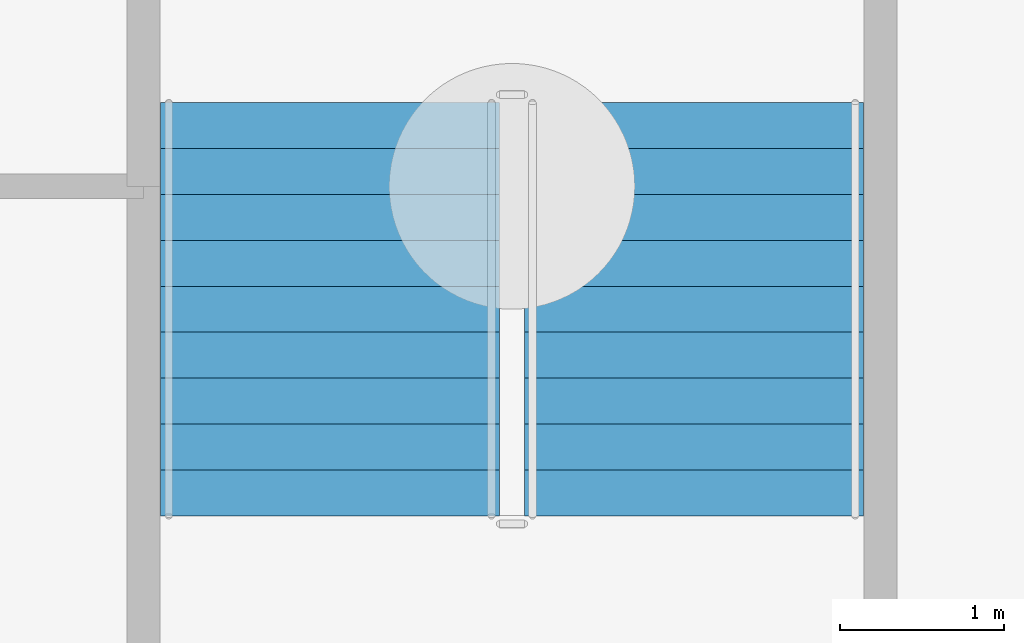
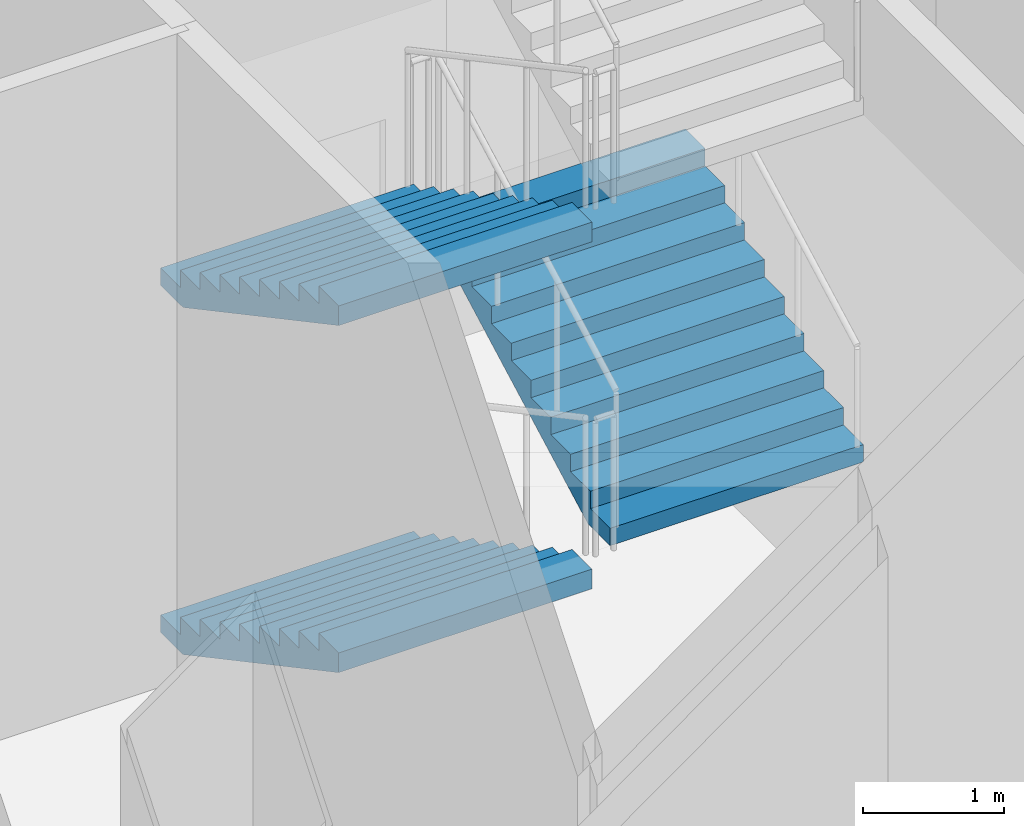
# One storey, part 16 of 25: 3 stair flights, 1 element without a shape of its own.
"""IFC4 building model written with IfcOpenShell, lengths in metres."""

import ifcopenshell
import ifcopenshell.guid

model = None  # the IFC model being written
_history = None  # IfcOwnerHistory: only IFC2X3 demands one
_inside = {}  # id of a spatial element -> (the spatial element, [elements in it])
_under = {}  # id of a project, library or spatial element -> (it, [spatial elements below it])
_declared = {}  # id of a project -> (the project, [libraries it declares])
_typed = {}  # id of a type object -> (the type object, [elements of that type])
_made_of = {}  # id of a material, layer set ... -> (it, [elements and type objects made of it])


def new_model(schema):
    """Start an empty IFC model of exactly this schema.

    Asked for "IFC4X3", IfcOpenShell would pick the latest addendum, in which some entities
    have other attributes; the version numbers below select the first issue.
    IFC2X3 requires an IfcOwnerHistory on every rooted entity: one is made here for all.
    """
    global model, _history
    if schema == "IFC4X3":
        model = ifcopenshell.file(schema_version=(4, 3, 0, 0))
    else:
        model = ifcopenshell.file(schema=schema)
    _inside.clear()
    _under.clear()
    _declared.clear()
    _typed.clear()
    _made_of.clear()
    _history = None
    if model.schema == "IFC2X3":
        org = make("IfcOrganization", Name="unknown")
        user = make(
            "IfcPersonAndOrganization",
            ThePerson=make("IfcPerson", FamilyName="unknown"),
            TheOrganization=org,
        )
        app = make(
            "IfcApplication",
            ApplicationDeveloper=org,
            Version="unknown",
            ApplicationFullName="unknown",
            ApplicationIdentifier="unknown",
        )
        _history = make(
            "IfcOwnerHistory",
            OwningUser=user,
            OwningApplication=app,
            ChangeAction="ADDED",
            CreationDate=0,
        )
    return model


def make(cls, **values):
    """One entity of the class cls with the attributes given. An attribute that is None is left unset."""
    return model.create_entity(
        cls, **{name: value for name, value in values.items() if value is not None}
    )


def rooted(cls, **values):
    """An entity with a GlobalId (a new one), such as an element, a storey or a relation."""
    return make(cls, GlobalId=ifcopenshell.guid.new(), OwnerHistory=_history, **values)


def si_unit(unit_type, name, prefix=None):
    """IfcSIUnit, for example si_unit("LENGTHUNIT", "METRE", prefix="MILLI")."""
    return make("IfcSIUnit", UnitType=unit_type, Prefix=prefix, Name=name)


def assignment(units):
    """IfcUnitAssignment: the units of a project."""
    return None if units is None else make("IfcUnitAssignment", Units=units)


def point(xyz):
    """IfcCartesianPoint."""
    return None if xyz is None else make("IfcCartesianPoint", Coordinates=xyz)


def direction(xyz):
    """IfcDirection."""
    return None if xyz is None else make("IfcDirection", DirectionRatios=xyz)


def frame(location, z_axis=None, x_axis=None):
    """IfcAxis2Placement3D, a coordinate frame: its origin and axes. An axis left out is left unset."""
    return make(
        "IfcAxis2Placement3D",
        Location=point(location),
        Axis=direction(z_axis),
        RefDirection=direction(x_axis),
    )


def origin():
    """The frame at (0, 0, 0) with its axes left unset."""
    return frame((0.0, 0.0, 0.0))


def place(relative_to, where):
    """IfcLocalPlacement: puts the frame where relative to a parent placement (None: the world)."""
    return make(
        "IfcLocalPlacement", PlacementRelTo=relative_to, RelativePlacement=where
    )


def context(
    kind, dimensions, precision=None, world=None, true_north=None, identifier=None
):
    """IfcGeometricRepresentationContext, for example the 3D "Model" context."""
    return make(
        "IfcGeometricRepresentationContext",
        ContextIdentifier=identifier,
        ContextType=kind,
        CoordinateSpaceDimension=dimensions,
        Precision=precision,
        WorldCoordinateSystem=world,
        TrueNorth=true_north,
    )


def subcontext(parent, identifier, kind, view, scale=None):
    """IfcGeometricRepresentationSubContext, for example "Body" below "Model"."""
    return make(
        "IfcGeometricRepresentationSubContext",
        ContextIdentifier=identifier,
        ContextType=kind,
        ParentContext=parent,
        TargetScale=scale,
        TargetView=view,
    )


def project(units=None, contexts=None):
    """IfcProject with its units and contexts."""
    return rooted(
        "IfcProject",
        Name="project",
        RepresentationContexts=contexts,
        UnitsInContext=assignment(units),
    )


def spatial(cls, under=None, at=None, **own):
    """A site, building, storey or space (cls), placed at a placement, below another one or the project."""
    s = rooted(cls, ObjectPlacement=at, **own)
    if under is not None:
        _under.setdefault(under.id(), (under, []))[1].append(s)
    return s


def point_list(points):
    """IfcCartesianPointList2D or 3D."""
    cls = (
        "IfcCartesianPointList2D" if len(points[0]) == 2 else "IfcCartesianPointList3D"
    )
    return make(cls, CoordList=points)


def polygons(points, faces, closed=None, point_numbers=None):
    """IfcPolygonalFaceSet: a face is its outer loop, then its inner loops; points numbered from 1."""
    made = []
    for loops in faces:
        if len(loops) == 1:
            made.append(make("IfcIndexedPolygonalFace", CoordIndex=loops[0]))
        else:
            made.append(
                make(
                    "IfcIndexedPolygonalFaceWithVoids",
                    CoordIndex=loops[0],
                    InnerCoordIndices=loops[1:],
                )
            )
    return make(
        "IfcPolygonalFaceSet",
        Coordinates=point_list(points),
        Closed=closed,
        Faces=made,
        PnIndex=point_numbers,
    )


def shape(context_of_items, identifier, shape_type, items):
    """IfcShapeRepresentation: the items that make up one representation, for example the "Body"."""
    return make(
        "IfcShapeRepresentation",
        ContextOfItems=context_of_items,
        RepresentationIdentifier=identifier,
        RepresentationType=shape_type,
        Items=items,
    )


def material(Name=None, Category=None):
    """IfcMaterial."""
    return make("IfcMaterial", Name=Name, Category=Category)


def made_of(thing, what):
    """Note that an element or type object is made of a material, layer set ...; save() writes the relation."""
    if what is not None:
        _made_of.setdefault(what.id(), (what, []))[1].append(thing)
    return thing


def type_object(cls, material=None, **own):
    """A type object (cls), such as IfcWallType, which elements share."""
    return made_of(rooted(cls, **own), material)


def element(
    cls,
    number,
    at=None,
    inside=None,
    cuts=None,
    type_object=None,
    material=None,
    context=None,
    identifier="Body",
    shape_type=None,
    held_by="IfcProductDefinitionShape",
    body=None,
    shapes=None,
    **own,
):
    """One element of the class cls, such as IfcWall. Its Tag is "e" and its number.

    at: its placement. inside: the storey or other place that contains it. cuts: it is an
    opening in that element (IfcRelVoidsElement). A single representation is given by context,
    identifier, shape_type and body (its items); several are given by shapes. held_by: the class
    of the entity that holds the representations. save() writes the other relations.
    """
    e = rooted(cls, Tag="e%d" % number, ObjectPlacement=at, **own)
    if body is not None:
        shapes = [shape(context, identifier, shape_type, body)]
    if shapes is not None:
        e.Representation = make(held_by, Representations=shapes)
    if inside is not None:
        _inside.setdefault(inside.id(), (inside, []))[1].append(e)
    if cuts is not None:
        rooted(
            "IfcRelVoidsElement", RelatingBuildingElement=cuts, RelatedOpeningElement=e
        )
    if type_object is not None:
        _typed.setdefault(type_object.id(), (type_object, []))[1].append(e)
    return made_of(e, material)


def aggregate(whole, parts):
    """IfcRelAggregates: a whole, such as a stair, and the parts it consists of."""
    return rooted("IfcRelAggregates", RelatingObject=whole, RelatedObjects=parts)


def save(model, path):
    """Write the relations noted so far, then the file.

    IfcRelAggregates (storeys below a building ...), IfcRelContainedInSpatialStructure (elements
    in a storey), IfcRelDefinesByType, IfcRelAssociatesMaterial and IfcRelDeclares: one each for
    every whole, place, type object, material and project.
    """
    for whole, parts in _under.values():
        aggregate(whole, parts)
    for where, things in _inside.values():
        rooted(
            "IfcRelContainedInSpatialStructure",
            RelatedElements=things,
            RelatingStructure=where,
        )
    for kind, things in _typed.values():
        rooted("IfcRelDefinesByType", RelatedObjects=things, RelatingType=kind)
    for what, things in _made_of.values():
        rooted("IfcRelAssociatesMaterial", RelatedObjects=things, RelatingMaterial=what)
    for by, libraries in _declared.values():
        rooted("IfcRelDeclares", RelatingContext=by, RelatedDefinitions=libraries)
    model.write(path)


model = new_model("IFC4")

# Units and contexts
model_context = context("Model", 3, precision=1e-05, world=origin(), true_north=direction((0.0, 1.0)))
body_context = subcontext(model_context, "Body", "Model", "MODEL_VIEW")
ifc_project = project(units=[si_unit("LENGTHUNIT", "METRE"), si_unit("AREAUNIT", "SQUARE_METRE"), si_unit("VOLUMEUNIT", "CUBIC_METRE"), si_unit("PLANEANGLEUNIT", "RADIAN"), si_unit("MASSUNIT", "GRAM", prefix="KILO")], contexts=[model_context])

# Site, building, storey
site_placement = place(None, origin())
site = spatial("IfcSite", under=ifc_project, at=site_placement, CompositionType="ELEMENT")
building_placement = place(site_placement, origin())
building = spatial("IfcBuilding", under=site, at=building_placement, Name="Caravel Reach Hotel and Residences", CompositionType="ELEMENT")
storey_placement = place(building_placement, frame((0.0, 0.0, -6.0)))
storey = spatial("IfcBuildingStorey", under=building, at=storey_placement, Name="B1", CompositionType="ELEMENT", Elevation=-6.0)

# Stair, stair flights
ifc_material_1 = material(Name="Concrete C40", Category="concrete")
stair_type = type_object("IfcStairType", Name="Core stair", PredefinedType="HALF_TURN_STAIR", material=ifc_material_1)
stair_placement = place(storey_placement, origin())
stair = element("IfcStair", 1, at=stair_placement, inside=storey, type_object=stair_type, Name="B1 Exit stair P2", PredefinedType="HALF_TURN_STAIR")
ifc_material_2 = material(Name="Concrete C40", Category="concrete")
stair_flight_type = type_object("IfcStairFlightType", Name="Core stair flight", PredefinedType="STRAIGHT", material=ifc_material_2)
stair_flight_1_placement = place(storey_placement, frame((52.889892578125, 41.010009765625, 0.0), z_axis=(0.0, 0.0, 1.0), x_axis=(0.0, -1.0, 0.0)))
stair_flight_1 = element("IfcStairFlight", 2, at=stair_flight_1_placement, type_object=stair_flight_type, Name="ST-P2 flight 1", NumberOfRisers=10, NumberOfTreads=9, PredefinedType="STRAIGHT", RiserHeight=0.15, TreadLength=0.28, context=body_context, shape_type="Tessellation", body=[
    polygons([(0.3174408016601862, 1.0350341796875, 0.0), (0.3174408016601862, 0.6900227864583333, 0.0), (0.3174408016601862, 0.34501139322916663, 0.0), (0.3174408016601862, 0.0, 0.0), (0.3174408016601862, -0.34501139322916674, 0.0), (0.3174408016601862, -0.6900227864583333, 0.0), (0.3174408016601862, -1.0350341796875, 0.0), (2.5210000000000004, 1.0350341796875, 1.1799424276820432), (2.5210000000000004, 0.6900227864583333, 1.1799424276820432), (2.5210000000000004, 0.34501139322916663, 1.1799424276820432), (2.5210000000000004, 0.0, 1.1799424276820432), (2.5210000000000004, -0.34501139322916674, 1.1799424276820432), (2.5210000000000004, -0.6900227864583333, 1.1799424276820432), (2.5210000000000004, -1.0350341796875, 1.1799424276820432), (2.5210000000000004, 1.0350341796875, 1.3499999999999999), (2.5210000000000004, 0.6900227864583333, 1.3499999999999999), (2.5210000000000004, 0.34501139322916663, 1.3499999999999999), (2.5210000000000004, 0.0, 1.3499999999999999), (2.5210000000000004, -0.34501139322916674, 1.3499999999999999), (2.5210000000000004, -0.6900227864583333, 1.3499999999999999), (2.5210000000000004, -1.0350341796875, 1.3499999999999999), (2.24, 1.0350341796875, 1.3499999999999999), (2.24, 0.6900227864583333, 1.3499999999999999), (2.24, 0.34501139322916663, 1.3499999999999999), (2.24, 0.0, 1.3499999999999999), (2.24, -0.34501139322916674, 1.3499999999999999), (2.24, -0.6900227864583333, 1.3499999999999999), (2.24, -1.0350341796875, 1.3499999999999999), (2.24, 1.0350341796875, 1.2), (2.24, 0.6900227864583333, 1.2), (2.24, 0.34501139322916663, 1.2), (2.24, 0.0, 1.2), (2.24, -0.34501139322916674, 1.2), (2.24, -0.6900227864583333, 1.2), (2.24, -1.0350341796875, 1.2), (1.9600000000000002, 1.0350341796875, 1.2), (1.9600000000000002, 0.6900227864583333, 1.2), (1.9600000000000002, 0.34501139322916663, 1.2), (1.9600000000000002, 0.0, 1.2), (1.9600000000000002, -0.34501139322916674, 1.2), (1.9600000000000002, -0.6900227864583333, 1.2), (1.9600000000000002, -1.0350341796875, 1.2), (1.9600000000000002, 1.0350341796875, 1.05), (1.9600000000000002, 0.6900227864583333, 1.05), (1.9600000000000002, 0.34501139322916663, 1.05), (1.9600000000000002, 0.0, 1.05), (1.9600000000000002, -0.34501139322916674, 1.05), (1.9600000000000002, -0.6900227864583333, 1.05), (1.9600000000000002, -1.0350341796875, 1.05), (1.6800000000000002, 1.0350341796875, 1.05), (1.6800000000000002, 0.6900227864583333, 1.05), (1.6800000000000002, 0.34501139322916663, 1.05), (1.6800000000000002, 0.0, 1.05), (1.6800000000000002, -0.34501139322916674, 1.05), (1.6800000000000002, -0.6900227864583333, 1.05), (1.6800000000000002, -1.0350341796875, 1.05), (1.6800000000000002, 1.0350341796875, 0.8999999999999999), (1.6800000000000002, 0.6900227864583333, 0.8999999999999999), (1.6800000000000002, 0.34501139322916663, 0.8999999999999999), (1.6800000000000002, 0.0, 0.8999999999999999), (1.6800000000000002, -0.34501139322916674, 0.8999999999999999), (1.6800000000000002, -0.6900227864583333, 0.8999999999999999), (1.6800000000000002, -1.0350341796875, 0.8999999999999999), (1.4000000000000001, 1.0350341796875, 0.8999999999999999), (1.4000000000000001, 0.6900227864583333, 0.8999999999999999), (1.4000000000000001, 0.34501139322916663, 0.8999999999999999), (1.4000000000000001, 0.0, 0.8999999999999999), (1.4000000000000001, -0.34501139322916674, 0.8999999999999999), (1.4000000000000001, -0.6900227864583333, 0.8999999999999999), (1.4000000000000001, -1.0350341796875, 0.8999999999999999), (1.4000000000000001, 1.0350341796875, 0.75), (1.4000000000000001, 0.6900227864583333, 0.75), (1.4000000000000001, 0.34501139322916663, 0.75), (1.4000000000000001, 0.0, 0.75), (1.4000000000000001, -0.34501139322916674, 0.75), (1.4000000000000001, -0.6900227864583333, 0.75), (1.4000000000000001, -1.0350341796875, 0.75), (1.12, 1.0350341796875, 0.75), (1.12, 0.6900227864583333, 0.75), (1.12, 0.34501139322916663, 0.75), (1.12, 0.0, 0.75), (1.12, -0.34501139322916674, 0.75), (1.12, -0.6900227864583333, 0.75), (1.12, -1.0350341796875, 0.75), (1.12, 1.0350341796875, 0.6), (1.12, 0.6900227864583333, 0.6), (1.12, 0.34501139322916663, 0.6), (1.12, 0.0, 0.6), (1.12, -0.34501139322916674, 0.6), (1.12, -0.6900227864583333, 0.6), (1.12, -1.0350341796875, 0.6), (0.8400000000000001, 1.0350341796875, 0.6), (0.8400000000000001, 0.6900227864583333, 0.6), (0.8400000000000001, 0.34501139322916663, 0.6), (0.8400000000000001, 0.0, 0.6), (0.8400000000000001, -0.34501139322916674, 0.6), (0.8400000000000001, -0.6900227864583333, 0.6), (0.8400000000000001, -1.0350341796875, 0.6), (0.8400000000000001, 1.0350341796875, 0.44999999999999996), (0.8400000000000001, 0.6900227864583333, 0.44999999999999996), (0.8400000000000001, 0.34501139322916663, 0.44999999999999996), (0.8400000000000001, 0.0, 0.44999999999999996), (0.8400000000000001, -0.34501139322916674, 0.44999999999999996), (0.8400000000000001, -0.6900227864583333, 0.44999999999999996), (0.8400000000000001, -1.0350341796875, 0.44999999999999996), (0.56, 1.0350341796875, 0.44999999999999996), (0.56, 0.6900227864583333, 0.44999999999999996), (0.56, 0.34501139322916663, 0.44999999999999996), (0.56, 0.0, 0.44999999999999996), (0.56, -0.34501139322916674, 0.44999999999999996), (0.56, -0.6900227864583333, 0.44999999999999996), (0.56, -1.0350341796875, 0.44999999999999996), (0.56, 1.0350341796875, 0.3), (0.56, 0.6900227864583333, 0.3), (0.56, 0.34501139322916663, 0.3), (0.56, 0.0, 0.3), (0.56, -0.34501139322916674, 0.3), (0.56, -0.6900227864583333, 0.3), (0.56, -1.0350341796875, 0.3), (0.28, 1.0350341796875, 0.3), (0.28, 0.6900227864583333, 0.3), (0.28, 0.34501139322916663, 0.3), (0.28, 0.0, 0.3), (0.28, -0.34501139322916674, 0.3), (0.28, -0.6900227864583333, 0.3), (0.28, -1.0350341796875, 0.3), (0.28, 1.0350341796875, 0.15), (0.28, 0.6900227864583333, 0.15), (0.28, 0.34501139322916663, 0.15), (0.28, 0.0, 0.15), (0.28, -0.34501139322916674, 0.15), (0.28, -0.6900227864583333, 0.15), (0.28, -1.0350341796875, 0.15), (-0.001, 1.0350341796875, 0.15), (-0.001, 0.6900227864583333, 0.15), (-0.001, 0.34501139322916663, 0.15), (-0.001, 0.0, 0.15), (-0.001, -0.34501139322916674, 0.15), (-0.001, -0.6900227864583333, 0.15), (-0.001, -1.0350341796875, 0.15), (-0.001, 1.0350341796875, 0.0), (-0.001, 0.6900227864583333, 0.0), (-0.001, 0.34501139322916663, 0.0), (-0.001, 0.0, 0.0), (-0.001, -0.34501139322916674, 0.0), (-0.001, -0.6900227864583333, 0.0), (-0.001, -1.0350341796875, 0.0)], [[[141, 134, 127, 120, 113, 106, 99, 92, 85, 78, 71, 64, 57, 50, 43, 36, 29, 22, 15, 8, 1]], [[7, 14, 21, 28, 35, 42, 49, 56, 63, 70, 77, 84, 91, 98, 105, 112, 119, 126, 133, 140, 147]], [[1, 8, 9, 2]], [[2, 9, 10, 3]], [[3, 10, 11, 4]], [[4, 11, 12, 5]], [[5, 12, 13, 6]], [[6, 13, 14, 7]], [[8, 15, 16, 9]], [[9, 16, 17, 10]], [[10, 17, 18, 11]], [[11, 18, 19, 12]], [[12, 19, 20, 13]], [[13, 20, 21, 14]], [[15, 22, 23, 16]], [[16, 23, 24, 17]], [[17, 24, 25, 18]], [[18, 25, 26, 19]], [[19, 26, 27, 20]], [[20, 27, 28, 21]], [[22, 29, 30, 23]], [[23, 30, 31, 24]], [[24, 31, 32, 25]], [[25, 32, 33, 26]], [[26, 33, 34, 27]], [[27, 34, 35, 28]], [[29, 36, 37, 30]], [[30, 37, 38, 31]], [[31, 38, 39, 32]], [[32, 39, 40, 33]], [[33, 40, 41, 34]], [[34, 41, 42, 35]], [[36, 43, 44, 37]], [[37, 44, 45, 38]], [[38, 45, 46, 39]], [[39, 46, 47, 40]], [[40, 47, 48, 41]], [[41, 48, 49, 42]], [[43, 50, 51, 44]], [[44, 51, 52, 45]], [[45, 52, 53, 46]], [[46, 53, 54, 47]], [[47, 54, 55, 48]], [[48, 55, 56, 49]], [[50, 57, 58, 51]], [[51, 58, 59, 52]], [[52, 59, 60, 53]], [[53, 60, 61, 54]], [[54, 61, 62, 55]], [[55, 62, 63, 56]], [[57, 64, 65, 58]], [[58, 65, 66, 59]], [[59, 66, 67, 60]], [[60, 67, 68, 61]], [[61, 68, 69, 62]], [[62, 69, 70, 63]], [[64, 71, 72, 65]], [[65, 72, 73, 66]], [[66, 73, 74, 67]], [[67, 74, 75, 68]], [[68, 75, 76, 69]], [[69, 76, 77, 70]], [[71, 78, 79, 72]], [[72, 79, 80, 73]], [[73, 80, 81, 74]], [[74, 81, 82, 75]], [[75, 82, 83, 76]], [[76, 83, 84, 77]], [[78, 85, 86, 79]], [[79, 86, 87, 80]], [[80, 87, 88, 81]], [[81, 88, 89, 82]], [[82, 89, 90, 83]], [[83, 90, 91, 84]], [[85, 92, 93, 86]], [[86, 93, 94, 87]], [[87, 94, 95, 88]], [[88, 95, 96, 89]], [[89, 96, 97, 90]], [[90, 97, 98, 91]], [[92, 99, 100, 93]], [[93, 100, 101, 94]], [[94, 101, 102, 95]], [[95, 102, 103, 96]], [[96, 103, 104, 97]], [[97, 104, 105, 98]], [[99, 106, 107, 100]], [[100, 107, 108, 101]], [[101, 108, 109, 102]], [[102, 109, 110, 103]], [[103, 110, 111, 104]], [[104, 111, 112, 105]], [[106, 113, 114, 107]], [[107, 114, 115, 108]], [[108, 115, 116, 109]], [[109, 116, 117, 110]], [[110, 117, 118, 111]], [[111, 118, 119, 112]], [[113, 120, 121, 114]], [[114, 121, 122, 115]], [[115, 122, 123, 116]], [[116, 123, 124, 117]], [[117, 124, 125, 118]], [[118, 125, 126, 119]], [[120, 127, 128, 121]], [[121, 128, 129, 122]], [[122, 129, 130, 123]], [[123, 130, 131, 124]], [[124, 131, 132, 125]], [[125, 132, 133, 126]], [[127, 134, 135, 128]], [[128, 135, 136, 129]], [[129, 136, 137, 130]], [[130, 137, 138, 131]], [[131, 138, 139, 132]], [[132, 139, 140, 133]], [[134, 141, 142, 135]], [[135, 142, 143, 136]], [[136, 143, 144, 137]], [[137, 144, 145, 138]], [[138, 145, 146, 139]], [[139, 146, 147, 140]], [[141, 1, 2, 142]], [[142, 2, 3, 143]], [[143, 3, 4, 144]], [[144, 4, 5, 145]], [[145, 5, 6, 146]], [[146, 6, 7, 147]]], closed=True),
])
stair_flight_2_placement = place(storey_placement, frame((55.110107421875, 38.489990234375, 1.5), z_axis=(0.0, 0.0, 1.0), x_axis=(0.0, 1.0, 0.0)))
stair_flight_2 = element("IfcStairFlight", 3, at=stair_flight_2_placement, type_object=stair_flight_type, Name="ST-P2 flight 2", NumberOfRisers=10, NumberOfTreads=9, PredefinedType="STRAIGHT", RiserHeight=0.15, TreadLength=0.28, context=body_context, shape_type="Tessellation", body=[
    polygons([(0.3174408016601862, 1.0350341796875, 0.0), (0.3174408016601862, 0.6900227864583333, 0.0), (0.3174408016601862, 0.34501139322916663, 0.0), (0.3174408016601862, 0.0, 0.0), (0.3174408016601862, -0.34501139322916674, 0.0), (0.3174408016601862, -0.6900227864583333, 0.0), (0.3174408016601862, -1.0350341796875, 0.0), (2.5210000000000004, 1.0350341796875, 1.1799424276820432), (2.5210000000000004, 0.6900227864583333, 1.1799424276820432), (2.5210000000000004, 0.34501139322916663, 1.1799424276820432), (2.5210000000000004, 0.0, 1.1799424276820432), (2.5210000000000004, -0.34501139322916674, 1.1799424276820432), (2.5210000000000004, -0.6900227864583333, 1.1799424276820432), (2.5210000000000004, -1.0350341796875, 1.1799424276820432), (2.5210000000000004, 1.0350341796875, 1.3499999999999999), (2.5210000000000004, 0.6900227864583333, 1.3499999999999999), (2.5210000000000004, 0.34501139322916663, 1.3499999999999999), (2.5210000000000004, 0.0, 1.3499999999999999), (2.5210000000000004, -0.34501139322916674, 1.3499999999999999), (2.5210000000000004, -0.6900227864583333, 1.3499999999999999), (2.5210000000000004, -1.0350341796875, 1.3499999999999999), (2.24, 1.0350341796875, 1.3499999999999999), (2.24, 0.6900227864583333, 1.3499999999999999), (2.24, 0.34501139322916663, 1.3499999999999999), (2.24, 0.0, 1.3499999999999999), (2.24, -0.34501139322916674, 1.3499999999999999), (2.24, -0.6900227864583333, 1.3499999999999999), (2.24, -1.0350341796875, 1.3499999999999999), (2.24, 1.0350341796875, 1.2), (2.24, 0.6900227864583333, 1.2), (2.24, 0.34501139322916663, 1.2), (2.24, 0.0, 1.2), (2.24, -0.34501139322916674, 1.2), (2.24, -0.6900227864583333, 1.2), (2.24, -1.0350341796875, 1.2), (1.9600000000000002, 1.0350341796875, 1.2), (1.9600000000000002, 0.6900227864583333, 1.2), (1.9600000000000002, 0.34501139322916663, 1.2), (1.9600000000000002, 0.0, 1.2), (1.9600000000000002, -0.34501139322916674, 1.2), (1.9600000000000002, -0.6900227864583333, 1.2), (1.9600000000000002, -1.0350341796875, 1.2), (1.9600000000000002, 1.0350341796875, 1.05), (1.9600000000000002, 0.6900227864583333, 1.05), (1.9600000000000002, 0.34501139322916663, 1.05), (1.9600000000000002, 0.0, 1.05), (1.9600000000000002, -0.34501139322916674, 1.05), (1.9600000000000002, -0.6900227864583333, 1.05), (1.9600000000000002, -1.0350341796875, 1.05), (1.6800000000000002, 1.0350341796875, 1.05), (1.6800000000000002, 0.6900227864583333, 1.05), (1.6800000000000002, 0.34501139322916663, 1.05), (1.6800000000000002, 0.0, 1.05), (1.6800000000000002, -0.34501139322916674, 1.05), (1.6800000000000002, -0.6900227864583333, 1.05), (1.6800000000000002, -1.0350341796875, 1.05), (1.6800000000000002, 1.0350341796875, 0.8999999999999999), (1.6800000000000002, 0.6900227864583333, 0.8999999999999999), (1.6800000000000002, 0.34501139322916663, 0.8999999999999999), (1.6800000000000002, 0.0, 0.8999999999999999), (1.6800000000000002, -0.34501139322916674, 0.8999999999999999), (1.6800000000000002, -0.6900227864583333, 0.8999999999999999), (1.6800000000000002, -1.0350341796875, 0.8999999999999999), (1.4000000000000001, 1.0350341796875, 0.8999999999999999), (1.4000000000000001, 0.6900227864583333, 0.8999999999999999), (1.4000000000000001, 0.34501139322916663, 0.8999999999999999), (1.4000000000000001, 0.0, 0.8999999999999999), (1.4000000000000001, -0.34501139322916674, 0.8999999999999999), (1.4000000000000001, -0.6900227864583333, 0.8999999999999999), (1.4000000000000001, -1.0350341796875, 0.8999999999999999), (1.4000000000000001, 1.0350341796875, 0.75), (1.4000000000000001, 0.6900227864583333, 0.75), (1.4000000000000001, 0.34501139322916663, 0.75), (1.4000000000000001, 0.0, 0.75), (1.4000000000000001, -0.34501139322916674, 0.75), (1.4000000000000001, -0.6900227864583333, 0.75), (1.4000000000000001, -1.0350341796875, 0.75), (1.12, 1.0350341796875, 0.75), (1.12, 0.6900227864583333, 0.75), (1.12, 0.34501139322916663, 0.75), (1.12, 0.0, 0.75), (1.12, -0.34501139322916674, 0.75), (1.12, -0.6900227864583333, 0.75), (1.12, -1.0350341796875, 0.75), (1.12, 1.0350341796875, 0.6), (1.12, 0.6900227864583333, 0.6), (1.12, 0.34501139322916663, 0.6), (1.12, 0.0, 0.6), (1.12, -0.34501139322916674, 0.6), (1.12, -0.6900227864583333, 0.6), (1.12, -1.0350341796875, 0.6), (0.8400000000000001, 1.0350341796875, 0.6), (0.8400000000000001, 0.6900227864583333, 0.6), (0.8400000000000001, 0.34501139322916663, 0.6), (0.8400000000000001, 0.0, 0.6), (0.8400000000000001, -0.34501139322916674, 0.6), (0.8400000000000001, -0.6900227864583333, 0.6), (0.8400000000000001, -1.0350341796875, 0.6), (0.8400000000000001, 1.0350341796875, 0.44999999999999996), (0.8400000000000001, 0.6900227864583333, 0.44999999999999996), (0.8400000000000001, 0.34501139322916663, 0.44999999999999996), (0.8400000000000001, 0.0, 0.44999999999999996), (0.8400000000000001, -0.34501139322916674, 0.44999999999999996), (0.8400000000000001, -0.6900227864583333, 0.44999999999999996), (0.8400000000000001, -1.0350341796875, 0.44999999999999996), (0.56, 1.0350341796875, 0.44999999999999996), (0.56, 0.6900227864583333, 0.44999999999999996), (0.56, 0.34501139322916663, 0.44999999999999996), (0.56, 0.0, 0.44999999999999996), (0.56, -0.34501139322916674, 0.44999999999999996), (0.56, -0.6900227864583333, 0.44999999999999996), (0.56, -1.0350341796875, 0.44999999999999996), (0.56, 1.0350341796875, 0.3), (0.56, 0.6900227864583333, 0.3), (0.56, 0.34501139322916663, 0.3), (0.56, 0.0, 0.3), (0.56, -0.34501139322916674, 0.3), (0.56, -0.6900227864583333, 0.3), (0.56, -1.0350341796875, 0.3), (0.28, 1.0350341796875, 0.3), (0.28, 0.6900227864583333, 0.3), (0.28, 0.34501139322916663, 0.3), (0.28, 0.0, 0.3), (0.28, -0.34501139322916674, 0.3), (0.28, -0.6900227864583333, 0.3), (0.28, -1.0350341796875, 0.3), (0.28, 1.0350341796875, 0.15), (0.28, 0.6900227864583333, 0.15), (0.28, 0.34501139322916663, 0.15), (0.28, 0.0, 0.15), (0.28, -0.34501139322916674, 0.15), (0.28, -0.6900227864583333, 0.15), (0.28, -1.0350341796875, 0.15), (-0.001, 1.0350341796875, 0.15), (-0.001, 0.6900227864583333, 0.15), (-0.001, 0.34501139322916663, 0.15), (-0.001, 0.0, 0.15), (-0.001, -0.34501139322916674, 0.15), (-0.001, -0.6900227864583333, 0.15), (-0.001, -1.0350341796875, 0.15), (-0.001, 1.0350341796875, 0.0), (-0.001, 0.6900227864583333, 0.0), (-0.001, 0.34501139322916663, 0.0), (-0.001, 0.0, 0.0), (-0.001, -0.34501139322916674, 0.0), (-0.001, -0.6900227864583333, 0.0), (-0.001, -1.0350341796875, 0.0)], [[[141, 134, 127, 120, 113, 106, 99, 92, 85, 78, 71, 64, 57, 50, 43, 36, 29, 22, 15, 8, 1]], [[7, 14, 21, 28, 35, 42, 49, 56, 63, 70, 77, 84, 91, 98, 105, 112, 119, 126, 133, 140, 147]], [[1, 8, 9, 2]], [[2, 9, 10, 3]], [[3, 10, 11, 4]], [[4, 11, 12, 5]], [[5, 12, 13, 6]], [[6, 13, 14, 7]], [[8, 15, 16, 9]], [[9, 16, 17, 10]], [[10, 17, 18, 11]], [[11, 18, 19, 12]], [[12, 19, 20, 13]], [[13, 20, 21, 14]], [[15, 22, 23, 16]], [[16, 23, 24, 17]], [[17, 24, 25, 18]], [[18, 25, 26, 19]], [[19, 26, 27, 20]], [[20, 27, 28, 21]], [[22, 29, 30, 23]], [[23, 30, 31, 24]], [[24, 31, 32, 25]], [[25, 32, 33, 26]], [[26, 33, 34, 27]], [[27, 34, 35, 28]], [[29, 36, 37, 30]], [[30, 37, 38, 31]], [[31, 38, 39, 32]], [[32, 39, 40, 33]], [[33, 40, 41, 34]], [[34, 41, 42, 35]], [[36, 43, 44, 37]], [[37, 44, 45, 38]], [[38, 45, 46, 39]], [[39, 46, 47, 40]], [[40, 47, 48, 41]], [[41, 48, 49, 42]], [[43, 50, 51, 44]], [[44, 51, 52, 45]], [[45, 52, 53, 46]], [[46, 53, 54, 47]], [[47, 54, 55, 48]], [[48, 55, 56, 49]], [[50, 57, 58, 51]], [[51, 58, 59, 52]], [[52, 59, 60, 53]], [[53, 60, 61, 54]], [[54, 61, 62, 55]], [[55, 62, 63, 56]], [[57, 64, 65, 58]], [[58, 65, 66, 59]], [[59, 66, 67, 60]], [[60, 67, 68, 61]], [[61, 68, 69, 62]], [[62, 69, 70, 63]], [[64, 71, 72, 65]], [[65, 72, 73, 66]], [[66, 73, 74, 67]], [[67, 74, 75, 68]], [[68, 75, 76, 69]], [[69, 76, 77, 70]], [[71, 78, 79, 72]], [[72, 79, 80, 73]], [[73, 80, 81, 74]], [[74, 81, 82, 75]], [[75, 82, 83, 76]], [[76, 83, 84, 77]], [[78, 85, 86, 79]], [[79, 86, 87, 80]], [[80, 87, 88, 81]], [[81, 88, 89, 82]], [[82, 89, 90, 83]], [[83, 90, 91, 84]], [[85, 92, 93, 86]], [[86, 93, 94, 87]], [[87, 94, 95, 88]], [[88, 95, 96, 89]], [[89, 96, 97, 90]], [[90, 97, 98, 91]], [[92, 99, 100, 93]], [[93, 100, 101, 94]], [[94, 101, 102, 95]], [[95, 102, 103, 96]], [[96, 103, 104, 97]], [[97, 104, 105, 98]], [[99, 106, 107, 100]], [[100, 107, 108, 101]], [[101, 108, 109, 102]], [[102, 109, 110, 103]], [[103, 110, 111, 104]], [[104, 111, 112, 105]], [[106, 113, 114, 107]], [[107, 114, 115, 108]], [[108, 115, 116, 109]], [[109, 116, 117, 110]], [[110, 117, 118, 111]], [[111, 118, 119, 112]], [[113, 120, 121, 114]], [[114, 121, 122, 115]], [[115, 122, 123, 116]], [[116, 123, 124, 117]], [[117, 124, 125, 118]], [[118, 125, 126, 119]], [[120, 127, 128, 121]], [[121, 128, 129, 122]], [[122, 129, 130, 123]], [[123, 130, 131, 124]], [[124, 131, 132, 125]], [[125, 132, 133, 126]], [[127, 134, 135, 128]], [[128, 135, 136, 129]], [[129, 136, 137, 130]], [[130, 137, 138, 131]], [[131, 138, 139, 132]], [[132, 139, 140, 133]], [[134, 141, 142, 135]], [[135, 142, 143, 136]], [[136, 143, 144, 137]], [[137, 144, 145, 138]], [[138, 145, 146, 139]], [[139, 146, 147, 140]], [[141, 1, 2, 142]], [[142, 2, 3, 143]], [[143, 3, 4, 144]], [[144, 4, 5, 145]], [[145, 5, 6, 146]], [[146, 6, 7, 147]]], closed=True),
])
stair_flight_3_placement = place(storey_placement, frame((52.889892578125, 41.010009765625, 3.0), z_axis=(0.0, 0.0, 1.0), x_axis=(0.0, -1.0, 0.0)))
stair_flight_3 = element("IfcStairFlight", 4, at=stair_flight_3_placement, type_object=stair_flight_type, Name="ST-P2 flight 3", NumberOfRisers=10, NumberOfTreads=9, PredefinedType="STRAIGHT", RiserHeight=0.15, TreadLength=0.28, context=body_context, shape_type="Tessellation", body=[
    polygons([(0.3174408016601862, 1.0350341796875, 0.0), (0.3174408016601862, 0.6900227864583333, 0.0), (0.3174408016601862, 0.34501139322916663, 0.0), (0.3174408016601862, 0.0, 0.0), (0.3174408016601862, -0.34501139322916674, 0.0), (0.3174408016601862, -0.6900227864583333, 0.0), (0.3174408016601862, -1.0350341796875, 0.0), (2.5210000000000004, 1.0350341796875, 1.1799424276820432), (2.5210000000000004, 0.6900227864583333, 1.1799424276820432), (2.5210000000000004, 0.34501139322916663, 1.1799424276820432), (2.5210000000000004, 0.0, 1.1799424276820432), (2.5210000000000004, -0.34501139322916674, 1.1799424276820432), (2.5210000000000004, -0.6900227864583333, 1.1799424276820432), (2.5210000000000004, -1.0350341796875, 1.1799424276820432), (2.5210000000000004, 1.0350341796875, 1.3499999999999999), (2.5210000000000004, 0.6900227864583333, 1.3499999999999999), (2.5210000000000004, 0.34501139322916663, 1.3499999999999999), (2.5210000000000004, 0.0, 1.3499999999999999), (2.5210000000000004, -0.34501139322916674, 1.3499999999999999), (2.5210000000000004, -0.6900227864583333, 1.3499999999999999), (2.5210000000000004, -1.0350341796875, 1.3499999999999999), (2.24, 1.0350341796875, 1.3499999999999999), (2.24, 0.6900227864583333, 1.3499999999999999), (2.24, 0.34501139322916663, 1.3499999999999999), (2.24, 0.0, 1.3499999999999999), (2.24, -0.34501139322916674, 1.3499999999999999), (2.24, -0.6900227864583333, 1.3499999999999999), (2.24, -1.0350341796875, 1.3499999999999999), (2.24, 1.0350341796875, 1.2), (2.24, 0.6900227864583333, 1.2), (2.24, 0.34501139322916663, 1.2), (2.24, 0.0, 1.2), (2.24, -0.34501139322916674, 1.2), (2.24, -0.6900227864583333, 1.2), (2.24, -1.0350341796875, 1.2), (1.9600000000000002, 1.0350341796875, 1.2), (1.9600000000000002, 0.6900227864583333, 1.2), (1.9600000000000002, 0.34501139322916663, 1.2), (1.9600000000000002, 0.0, 1.2), (1.9600000000000002, -0.34501139322916674, 1.2), (1.9600000000000002, -0.6900227864583333, 1.2), (1.9600000000000002, -1.0350341796875, 1.2), (1.9600000000000002, 1.0350341796875, 1.05), (1.9600000000000002, 0.6900227864583333, 1.05), (1.9600000000000002, 0.34501139322916663, 1.05), (1.9600000000000002, 0.0, 1.05), (1.9600000000000002, -0.34501139322916674, 1.05), (1.9600000000000002, -0.6900227864583333, 1.05), (1.9600000000000002, -1.0350341796875, 1.05), (1.6800000000000002, 1.0350341796875, 1.05), (1.6800000000000002, 0.6900227864583333, 1.05), (1.6800000000000002, 0.34501139322916663, 1.05), (1.6800000000000002, 0.0, 1.05), (1.6800000000000002, -0.34501139322916674, 1.05), (1.6800000000000002, -0.6900227864583333, 1.05), (1.6800000000000002, -1.0350341796875, 1.05), (1.6800000000000002, 1.0350341796875, 0.8999999999999999), (1.6800000000000002, 0.6900227864583333, 0.8999999999999999), (1.6800000000000002, 0.34501139322916663, 0.8999999999999999), (1.6800000000000002, 0.0, 0.8999999999999999), (1.6800000000000002, -0.34501139322916674, 0.8999999999999999), (1.6800000000000002, -0.6900227864583333, 0.8999999999999999), (1.6800000000000002, -1.0350341796875, 0.8999999999999999), (1.4000000000000001, 1.0350341796875, 0.8999999999999999), (1.4000000000000001, 0.6900227864583333, 0.8999999999999999), (1.4000000000000001, 0.34501139322916663, 0.8999999999999999), (1.4000000000000001, 0.0, 0.8999999999999999), (1.4000000000000001, -0.34501139322916674, 0.8999999999999999), (1.4000000000000001, -0.6900227864583333, 0.8999999999999999), (1.4000000000000001, -1.0350341796875, 0.8999999999999999), (1.4000000000000001, 1.0350341796875, 0.75), (1.4000000000000001, 0.6900227864583333, 0.75), (1.4000000000000001, 0.34501139322916663, 0.75), (1.4000000000000001, 0.0, 0.75), (1.4000000000000001, -0.34501139322916674, 0.75), (1.4000000000000001, -0.6900227864583333, 0.75), (1.4000000000000001, -1.0350341796875, 0.75), (1.12, 1.0350341796875, 0.75), (1.12, 0.6900227864583333, 0.75), (1.12, 0.34501139322916663, 0.75), (1.12, 0.0, 0.75), (1.12, -0.34501139322916674, 0.75), (1.12, -0.6900227864583333, 0.75), (1.12, -1.0350341796875, 0.75), (1.12, 1.0350341796875, 0.6), (1.12, 0.6900227864583333, 0.6), (1.12, 0.34501139322916663, 0.6), (1.12, 0.0, 0.6), (1.12, -0.34501139322916674, 0.6), (1.12, -0.6900227864583333, 0.6), (1.12, -1.0350341796875, 0.6), (0.8400000000000001, 1.0350341796875, 0.6), (0.8400000000000001, 0.6900227864583333, 0.6), (0.8400000000000001, 0.34501139322916663, 0.6), (0.8400000000000001, 0.0, 0.6), (0.8400000000000001, -0.34501139322916674, 0.6), (0.8400000000000001, -0.6900227864583333, 0.6), (0.8400000000000001, -1.0350341796875, 0.6), (0.8400000000000001, 1.0350341796875, 0.44999999999999996), (0.8400000000000001, 0.6900227864583333, 0.44999999999999996), (0.8400000000000001, 0.34501139322916663, 0.44999999999999996), (0.8400000000000001, 0.0, 0.44999999999999996), (0.8400000000000001, -0.34501139322916674, 0.44999999999999996), (0.8400000000000001, -0.6900227864583333, 0.44999999999999996), (0.8400000000000001, -1.0350341796875, 0.44999999999999996), (0.56, 1.0350341796875, 0.44999999999999996), (0.56, 0.6900227864583333, 0.44999999999999996), (0.56, 0.34501139322916663, 0.44999999999999996), (0.56, 0.0, 0.44999999999999996), (0.56, -0.34501139322916674, 0.44999999999999996), (0.56, -0.6900227864583333, 0.44999999999999996), (0.56, -1.0350341796875, 0.44999999999999996), (0.56, 1.0350341796875, 0.3), (0.56, 0.6900227864583333, 0.3), (0.56, 0.34501139322916663, 0.3), (0.56, 0.0, 0.3), (0.56, -0.34501139322916674, 0.3), (0.56, -0.6900227864583333, 0.3), (0.56, -1.0350341796875, 0.3), (0.28, 1.0350341796875, 0.3), (0.28, 0.6900227864583333, 0.3), (0.28, 0.34501139322916663, 0.3), (0.28, 0.0, 0.3), (0.28, -0.34501139322916674, 0.3), (0.28, -0.6900227864583333, 0.3), (0.28, -1.0350341796875, 0.3), (0.28, 1.0350341796875, 0.15), (0.28, 0.6900227864583333, 0.15), (0.28, 0.34501139322916663, 0.15), (0.28, 0.0, 0.15), (0.28, -0.34501139322916674, 0.15), (0.28, -0.6900227864583333, 0.15), (0.28, -1.0350341796875, 0.15), (-0.001, 1.0350341796875, 0.15), (-0.001, 0.6900227864583333, 0.15), (-0.001, 0.34501139322916663, 0.15), (-0.001, 0.0, 0.15), (-0.001, -0.34501139322916674, 0.15), (-0.001, -0.6900227864583333, 0.15), (-0.001, -1.0350341796875, 0.15), (-0.001, 1.0350341796875, 0.0), (-0.001, 0.6900227864583333, 0.0), (-0.001, 0.34501139322916663, 0.0), (-0.001, 0.0, 0.0), (-0.001, -0.34501139322916674, 0.0), (-0.001, -0.6900227864583333, 0.0), (-0.001, -1.0350341796875, 0.0)], [[[141, 134, 127, 120, 113, 106, 99, 92, 85, 78, 71, 64, 57, 50, 43, 36, 29, 22, 15, 8, 1]], [[7, 14, 21, 28, 35, 42, 49, 56, 63, 70, 77, 84, 91, 98, 105, 112, 119, 126, 133, 140, 147]], [[1, 8, 9, 2]], [[2, 9, 10, 3]], [[3, 10, 11, 4]], [[4, 11, 12, 5]], [[5, 12, 13, 6]], [[6, 13, 14, 7]], [[8, 15, 16, 9]], [[9, 16, 17, 10]], [[10, 17, 18, 11]], [[11, 18, 19, 12]], [[12, 19, 20, 13]], [[13, 20, 21, 14]], [[15, 22, 23, 16]], [[16, 23, 24, 17]], [[17, 24, 25, 18]], [[18, 25, 26, 19]], [[19, 26, 27, 20]], [[20, 27, 28, 21]], [[22, 29, 30, 23]], [[23, 30, 31, 24]], [[24, 31, 32, 25]], [[25, 32, 33, 26]], [[26, 33, 34, 27]], [[27, 34, 35, 28]], [[29, 36, 37, 30]], [[30, 37, 38, 31]], [[31, 38, 39, 32]], [[32, 39, 40, 33]], [[33, 40, 41, 34]], [[34, 41, 42, 35]], [[36, 43, 44, 37]], [[37, 44, 45, 38]], [[38, 45, 46, 39]], [[39, 46, 47, 40]], [[40, 47, 48, 41]], [[41, 48, 49, 42]], [[43, 50, 51, 44]], [[44, 51, 52, 45]], [[45, 52, 53, 46]], [[46, 53, 54, 47]], [[47, 54, 55, 48]], [[48, 55, 56, 49]], [[50, 57, 58, 51]], [[51, 58, 59, 52]], [[52, 59, 60, 53]], [[53, 60, 61, 54]], [[54, 61, 62, 55]], [[55, 62, 63, 56]], [[57, 64, 65, 58]], [[58, 65, 66, 59]], [[59, 66, 67, 60]], [[60, 67, 68, 61]], [[61, 68, 69, 62]], [[62, 69, 70, 63]], [[64, 71, 72, 65]], [[65, 72, 73, 66]], [[66, 73, 74, 67]], [[67, 74, 75, 68]], [[68, 75, 76, 69]], [[69, 76, 77, 70]], [[71, 78, 79, 72]], [[72, 79, 80, 73]], [[73, 80, 81, 74]], [[74, 81, 82, 75]], [[75, 82, 83, 76]], [[76, 83, 84, 77]], [[78, 85, 86, 79]], [[79, 86, 87, 80]], [[80, 87, 88, 81]], [[81, 88, 89, 82]], [[82, 89, 90, 83]], [[83, 90, 91, 84]], [[85, 92, 93, 86]], [[86, 93, 94, 87]], [[87, 94, 95, 88]], [[88, 95, 96, 89]], [[89, 96, 97, 90]], [[90, 97, 98, 91]], [[92, 99, 100, 93]], [[93, 100, 101, 94]], [[94, 101, 102, 95]], [[95, 102, 103, 96]], [[96, 103, 104, 97]], [[97, 104, 105, 98]], [[99, 106, 107, 100]], [[100, 107, 108, 101]], [[101, 108, 109, 102]], [[102, 109, 110, 103]], [[103, 110, 111, 104]], [[104, 111, 112, 105]], [[106, 113, 114, 107]], [[107, 114, 115, 108]], [[108, 115, 116, 109]], [[109, 116, 117, 110]], [[110, 117, 118, 111]], [[111, 118, 119, 112]], [[113, 120, 121, 114]], [[114, 121, 122, 115]], [[115, 122, 123, 116]], [[116, 123, 124, 117]], [[117, 124, 125, 118]], [[118, 125, 126, 119]], [[120, 127, 128, 121]], [[121, 128, 129, 122]], [[122, 129, 130, 123]], [[123, 130, 131, 124]], [[124, 131, 132, 125]], [[125, 132, 133, 126]], [[127, 134, 135, 128]], [[128, 135, 136, 129]], [[129, 136, 137, 130]], [[130, 137, 138, 131]], [[131, 138, 139, 132]], [[132, 139, 140, 133]], [[134, 141, 142, 135]], [[135, 142, 143, 136]], [[136, 143, 144, 137]], [[137, 144, 145, 138]], [[138, 145, 146, 139]], [[139, 146, 147, 140]], [[141, 1, 2, 142]], [[142, 2, 3, 143]], [[143, 3, 4, 144]], [[144, 4, 5, 145]], [[145, 5, 6, 146]], [[146, 6, 7, 147]]], closed=True),
])
aggregate(stair, [stair_flight_1, stair_flight_2, stair_flight_3])

save(model, "model.ifc")
